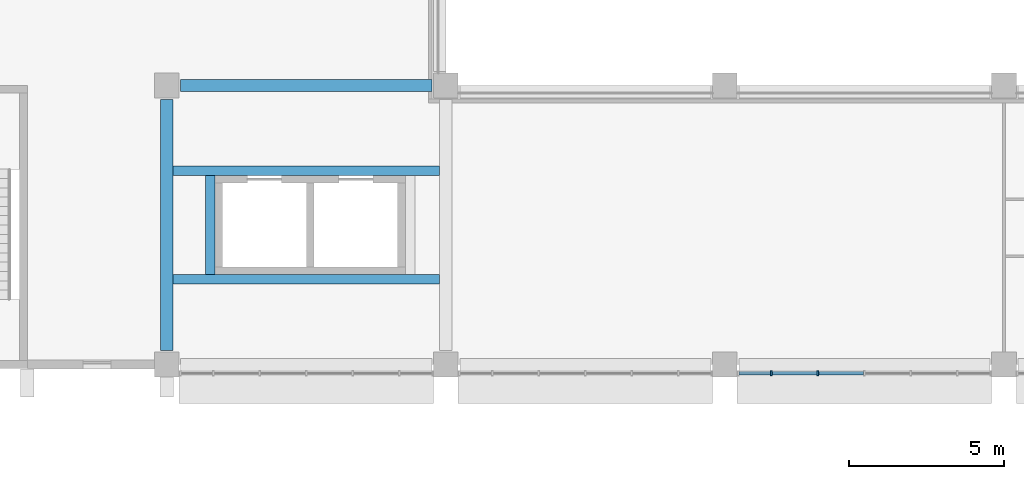
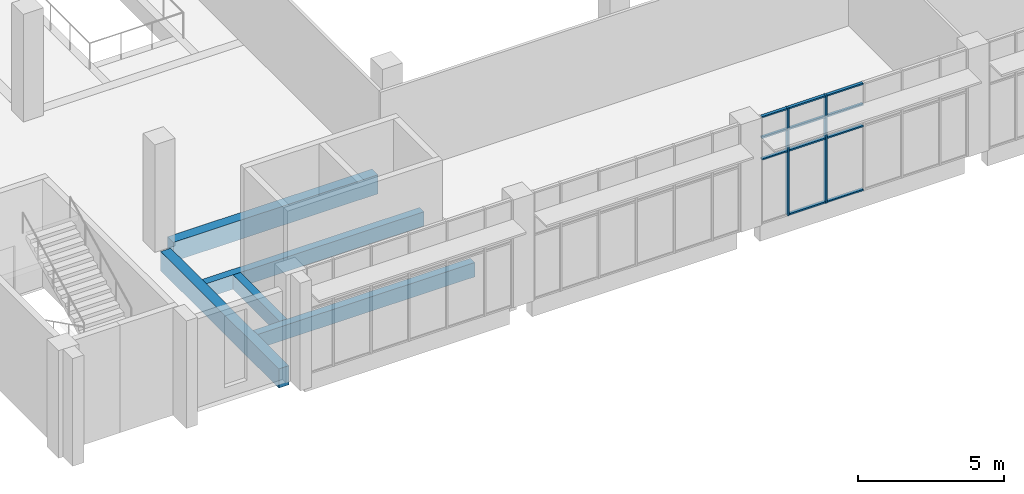
# One storey, part 3 of 106: 13 members, 5 beams, 1 element without a shape of its own.
"""IFC4 building model written with IfcOpenShell, lengths in metres."""

from ifc_helpers import new_model, si_unit, direction, frame, origin, origin_2d, place, context, subcontext, project, spatial, rectangle, extrude, material, layer, layer_set, material_profile, profile_set, type_object, element, aggregate, save


model = new_model("IFC4")

# Units and contexts
model_context = context("Model", 3, precision=1e-05, world=origin(), true_north=direction((0.0, 1.0)))
body_context = subcontext(model_context, "Body", "Model", "MODEL_VIEW")
ifc_project = project(units=[si_unit("LENGTHUNIT", "METRE"), si_unit("AREAUNIT", "SQUARE_METRE"), si_unit("VOLUMEUNIT", "CUBIC_METRE"), si_unit("PLANEANGLEUNIT", "RADIAN"), si_unit("MASSUNIT", "GRAM", prefix="KILO")], contexts=[model_context])

# Site, building, storey
site_placement = place(None, origin())
site = spatial("IfcSite", under=ifc_project, at=site_placement, CompositionType="ELEMENT")
building_placement = place(site_placement, origin())
building = spatial("IfcBuilding", under=site, at=building_placement, Name="Guidao Yard Department Store", CompositionType="ELEMENT")
storey_placement = place(building_placement, frame((0.0, 0.0, 10.5)))
storey = spatial("IfcBuildingStorey", under=building, at=storey_placement, Name="L02", CompositionType="ELEMENT", Elevation=10.5)

# Beams
ifc_material_1 = material(Name="Concrete C40", Category="concrete")
ifc_material_profile_1 = material_profile(ifc_material_1, rectangle(XDim=0.39990234375, YDim=0.800048828125, at=origin_2d()), Name="Edge beam 400 x 800 C40")
ifc_profile_set_1 = profile_set([ifc_material_profile_1], Name="Concrete C40")
beam_type_1 = type_object("IfcBeamType", Name="Edge beam 400 x 800 C40", PredefinedType="BEAM", material=ifc_profile_set_1)
for number, where, z_axis, x_axis, name in (
    (1, (9.449951171875, 54.0, -0.39990234375), (1.0, 0.0, 0.0), (0.0, 1.0, 0.0), "Beam EB62"),
    (2, (9.0, 45.449951171875, -0.39990234375), (0.0, 1.0, 0.0), (-1.0, 0.0, 0.0), "Beam EB63"),
):
    element("IfcBeam", number, at=place(storey_placement, frame(where, z_axis=z_axis, x_axis=x_axis)), inside=storey, type_object=beam_type_1, Name=name, PredefinedType="BEAM", context=body_context, shape_type="SweptSolid", body=[
        extrude(rectangle(XDim=0.39990234375, YDim=0.800048828125, at=origin_2d()), origin(), (0.0, 0.0, 1.0), 8.10009765625),
    ])

# Curtain wall, members
ifc_material_2 = material(Name="Aluminium and glass", Category="aluminium")
ifc_layer = layer(ifc_material_2, 0.159912109375)
ifc_layer_set = layer_set([ifc_layer], Name="Hall front curtain wall CW2 1500 module")
curtain_wall_type = type_object("IfcCurtainWallType", Name="Hall front curtain wall CW2 1500 module", PredefinedType="NOTDEFINED", material=ifc_layer_set)
curtain_wall_placement = place(storey_placement, origin())
curtain_wall = element("IfcCurtainWall", 3, at=curtain_wall_placement, inside=storey, type_object=curtain_wall_type, Name="Hall front curtain wall", PredefinedType="NOTDEFINED")
ifc_material_3 = material(Name="Aluminium 6063-T5", Category="aluminium")
ifc_material_profile_2 = material_profile(ifc_material_3, rectangle(XDim=0.06005859375, YDim=0.159912109375, at=origin_2d()), Name="Mullion M1 60 x 160 aluminium pressure plate")
ifc_profile_set_2 = profile_set([ifc_material_profile_2], Name="Aluminium 6063-T5")
member_type_1 = type_object("IfcMemberType", Name="Mullion M1 60 x 160 aluminium pressure plate", PredefinedType="MULLION", material=ifc_profile_set_2)
member_1_placement = place(storey_placement, frame((28.5, 44.719970703125, 0.0), z_axis=(0.0, 0.0, 1.0), x_axis=(-1.0, 0.0, 0.0)))
member_1 = element("IfcMember", 4, at=member_1_placement, type_object=member_type_1, Name="CW-HF-L02-03 mullion 2", PredefinedType="MULLION", context=body_context, shape_type="SweptSolid", body=[
    extrude(rectangle(XDim=0.06005859375, YDim=0.159912109375, at=origin_2d()), origin(), (0.0, 0.0, 1.0), 4.5),
])
member_2_placement = place(storey_placement, frame((30.0, 44.719970703125, 0.0), z_axis=(0.0, 0.0, 1.0), x_axis=(-1.0, 0.0, 0.0)))
member_2 = element("IfcMember", 5, at=member_2_placement, type_object=member_type_1, Name="CW-HF-L02-03 mullion 3", PredefinedType="MULLION", context=body_context, shape_type="SweptSolid", body=[
    extrude(rectangle(XDim=0.06005859375, YDim=0.159912109375, at=origin_2d()), origin(), (0.0, 0.0, 1.0), 4.5),
])

# Beams
ifc_material_4 = material(Name="Concrete C40", Category="concrete")
ifc_material_profile_3 = material_profile(ifc_material_4, rectangle(XDim=0.300048828125, YDim=0.60009765625, at=origin_2d()), Name="Opening beam 300 x 600 C40")
ifc_profile_set_3 = profile_set([ifc_material_profile_3], Name="Concrete C40")
beam_type_2 = type_object("IfcBeamType", Name="Opening beam 300 x 600 C40", PredefinedType="BEAM", material=ifc_profile_set_3)
for number, where, z_axis, x_axis, name in (
    (6, (9.199951171875, 47.75, -0.300048828125), (1.0, 0.0, 0.0), (0.0, 1.0, 0.0), "Beam OB01"),
    (7, (9.199951171875, 51.25, -0.300048828125), (1.0, 0.0, 0.0), (0.0, 1.0, 0.0), "Beam OB02"),
):
    element("IfcBeam", number, at=place(storey_placement, frame(where, z_axis=z_axis, x_axis=x_axis)), inside=storey, type_object=beam_type_2, Name=name, PredefinedType="BEAM", context=body_context, shape_type="SweptSolid", body=[
        extrude(rectangle(XDim=0.300048828125, YDim=0.60009765625, at=origin_2d()), origin(), (0.0, 0.0, 1.0), 8.60009765625),
    ])
beam_placement = place(storey_placement, frame((10.39990234375, 47.89990234375, -0.300048828125), z_axis=(0.0, 1.0, 0.0), x_axis=(-1.0, 0.0, 0.0)))
element("IfcBeam", 8, at=beam_placement, inside=storey, type_object=beam_type_2, Name="Beam OB03", PredefinedType="BEAM", context=body_context, shape_type="SweptSolid", body=[
    extrude(rectangle(XDim=0.300048828125, YDim=0.60009765625, at=origin_2d()), origin(), (0.0, 0.0, 1.0), 3.2001953125),
])

# Member
ifc_material_5 = material(Name="Aluminium 6063-T5", Category="aluminium")
ifc_material_profile_4 = material_profile(ifc_material_5, rectangle(XDim=0.1201171875, YDim=0.06005859375, at=origin_2d()), Name="Transom T1 60 x 120 aluminium pressure plate")
ifc_profile_set_4 = profile_set([ifc_material_profile_4], Name="Aluminium 6063-T5")
member_type_2 = type_object("IfcMemberType", Name="Transom T1 60 x 120 aluminium pressure plate", PredefinedType="USERDEFINED", material=ifc_profile_set_4)
member_3_placement = place(storey_placement, frame((28.469970703125, 44.719970703125, 2.699951171875), z_axis=(-1.0, 0.0, 0.0), x_axis=(0.0, -1.0, 0.0)))
member_3 = element("IfcMember", 9, at=member_3_placement, type_object=member_type_2, Name="CW-HF-L02-03 transom 1.2", ObjectType="TRANSOM", PredefinedType="USERDEFINED", context=body_context, shape_type="SweptSolid", body=[
    extrude(rectangle(XDim=0.1201171875, YDim=0.06005859375, at=origin_2d()), origin(), (0.0, 0.0, 1.0), 1.010009765625),
])

member_4_placement = place(storey_placement, frame((28.469970703125, 44.719970703125, 3.60009765625), z_axis=(-1.0, 0.0, 0.0), x_axis=(0.0, -1.0, 0.0)))
member_4 = element("IfcMember", 10, at=member_4_placement, type_object=member_type_2, Name="CW-HF-L02-03 transom 1.3", ObjectType="TRANSOM", PredefinedType="USERDEFINED", context=body_context, shape_type="SweptSolid", body=[
    extrude(rectangle(XDim=0.1201171875, YDim=0.06005859375, at=origin_2d()), origin(), (0.0, 0.0, 1.0), 1.010009765625),
])

member_5_placement = place(storey_placement, frame((28.469970703125, 44.719970703125, 4.469970703125), z_axis=(-1.0, 0.0, 0.0), x_axis=(0.0, -1.0, 0.0)))
member_5 = element("IfcMember", 11, at=member_5_placement, type_object=member_type_2, Name="CW-HF-L02-03 transom 1.4", ObjectType="TRANSOM", PredefinedType="USERDEFINED", context=body_context, shape_type="SweptSolid", body=[
    extrude(rectangle(XDim=0.1201171875, YDim=0.06005859375, at=origin_2d()), origin(), (0.0, 0.0, 1.0), 1.010009765625),
])

member_6_placement = place(storey_placement, frame((29.969970703125, 44.719970703125, 0.030029296875), z_axis=(-1.0, 0.0, 0.0), x_axis=(0.0, -1.0, 0.0)))
member_6 = element("IfcMember", 12, at=member_6_placement, type_object=member_type_2, Name="CW-HF-L02-03 transom 2.1", ObjectType="TRANSOM", PredefinedType="USERDEFINED", context=body_context, shape_type="SweptSolid", body=[
    extrude(rectangle(XDim=0.1201171875, YDim=0.06005859375, at=origin_2d()), origin(), (0.0, 0.0, 1.0), 1.43994140625),
])

member_7_placement = place(storey_placement, frame((29.969970703125, 44.719970703125, 2.699951171875), z_axis=(-1.0, 0.0, 0.0), x_axis=(0.0, -1.0, 0.0)))
member_7 = element("IfcMember", 13, at=member_7_placement, type_object=member_type_2, Name="CW-HF-L02-03 transom 2.2", ObjectType="TRANSOM", PredefinedType="USERDEFINED", context=body_context, shape_type="SweptSolid", body=[
    extrude(rectangle(XDim=0.1201171875, YDim=0.06005859375, at=origin_2d()), origin(), (0.0, 0.0, 1.0), 1.43994140625),
])

member_8_placement = place(storey_placement, frame((29.969970703125, 44.719970703125, 3.60009765625), z_axis=(-1.0, 0.0, 0.0), x_axis=(0.0, -1.0, 0.0)))
member_8 = element("IfcMember", 14, at=member_8_placement, type_object=member_type_2, Name="CW-HF-L02-03 transom 2.3", ObjectType="TRANSOM", PredefinedType="USERDEFINED", context=body_context, shape_type="SweptSolid", body=[
    extrude(rectangle(XDim=0.1201171875, YDim=0.06005859375, at=origin_2d()), origin(), (0.0, 0.0, 1.0), 1.43994140625),
])

member_9_placement = place(storey_placement, frame((29.969970703125, 44.719970703125, 4.469970703125), z_axis=(-1.0, 0.0, 0.0), x_axis=(0.0, -1.0, 0.0)))
member_9 = element("IfcMember", 15, at=member_9_placement, type_object=member_type_2, Name="CW-HF-L02-03 transom 2.4", ObjectType="TRANSOM", PredefinedType="USERDEFINED", context=body_context, shape_type="SweptSolid", body=[
    extrude(rectangle(XDim=0.1201171875, YDim=0.06005859375, at=origin_2d()), origin(), (0.0, 0.0, 1.0), 1.43994140625),
])

member_10_placement = place(storey_placement, frame((31.469970703125, 44.719970703125, 0.030029296875), z_axis=(-1.0, 0.0, 0.0), x_axis=(0.0, -1.0, 0.0)))
member_10 = element("IfcMember", 16, at=member_10_placement, type_object=member_type_2, Name="CW-HF-L02-03 transom 3.1", ObjectType="TRANSOM", PredefinedType="USERDEFINED", context=body_context, shape_type="SweptSolid", body=[
    extrude(rectangle(XDim=0.1201171875, YDim=0.06005859375, at=origin_2d()), origin(), (0.0, 0.0, 1.0), 1.43994140625),
])

member_11_placement = place(storey_placement, frame((31.469970703125, 44.719970703125, 2.699951171875), z_axis=(-1.0, 0.0, 0.0), x_axis=(0.0, -1.0, 0.0)))
member_11 = element("IfcMember", 17, at=member_11_placement, type_object=member_type_2, Name="CW-HF-L02-03 transom 3.2", ObjectType="TRANSOM", PredefinedType="USERDEFINED", context=body_context, shape_type="SweptSolid", body=[
    extrude(rectangle(XDim=0.1201171875, YDim=0.06005859375, at=origin_2d()), origin(), (0.0, 0.0, 1.0), 1.43994140625),
])

member_12_placement = place(storey_placement, frame((31.469970703125, 44.719970703125, 3.60009765625), z_axis=(-1.0, 0.0, 0.0), x_axis=(0.0, -1.0, 0.0)))
member_12 = element("IfcMember", 18, at=member_12_placement, type_object=member_type_2, Name="CW-HF-L02-03 transom 3.3", ObjectType="TRANSOM", PredefinedType="USERDEFINED", context=body_context, shape_type="SweptSolid", body=[
    extrude(rectangle(XDim=0.1201171875, YDim=0.06005859375, at=origin_2d()), origin(), (0.0, 0.0, 1.0), 1.43994140625),
])

member_13_placement = place(storey_placement, frame((31.469970703125, 44.719970703125, 4.469970703125), z_axis=(-1.0, 0.0, 0.0), x_axis=(0.0, -1.0, 0.0)))
member_13 = element("IfcMember", 19, at=member_13_placement, type_object=member_type_2, Name="CW-HF-L02-03 transom 3.4", ObjectType="TRANSOM", PredefinedType="USERDEFINED", context=body_context, shape_type="SweptSolid", body=[
    extrude(rectangle(XDim=0.1201171875, YDim=0.06005859375, at=origin_2d()), origin(), (0.0, 0.0, 1.0), 1.43994140625),
])

aggregate(curtain_wall, [member_1, member_2, member_3, member_4, member_5, member_6, member_7, member_8, member_9, member_10, member_11, member_12, member_13])

save(model, "model.ifc")
